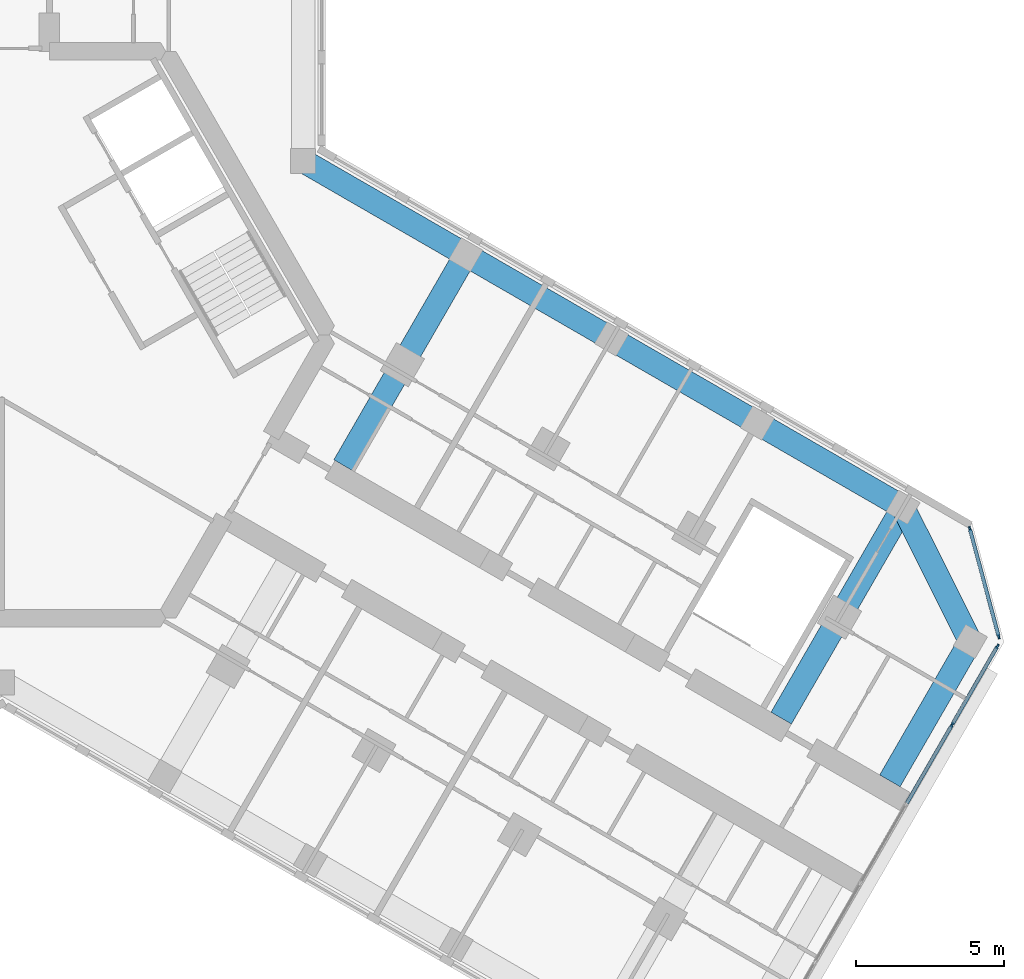
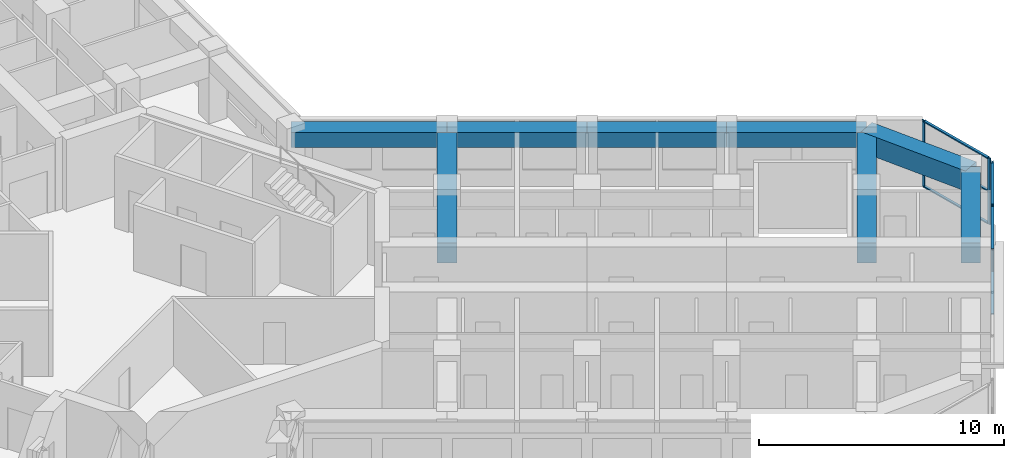
# One storey, part 5 of 16: 11 members, 8 beams, 2 elements without a shape of their own.
"""IFC4 building model written with IfcOpenShell, lengths in metres."""

from ifc_helpers import new_model, si_unit, direction, frame, origin, origin_2d, place, context, subcontext, project, spatial, rectangle, extrude, material, material_profile, profile_set, type_object, element, aggregate, save


model = new_model("IFC4")

# Units and contexts
model_context = context("Model", 3, precision=1e-05, world=origin(), true_north=direction((0.0, 1.0)))
body_context = subcontext(model_context, "Body", "Model", "MODEL_VIEW")
ifc_project = project(units=[si_unit("LENGTHUNIT", "METRE"), si_unit("AREAUNIT", "SQUARE_METRE"), si_unit("VOLUMEUNIT", "CUBIC_METRE"), si_unit("PLANEANGLEUNIT", "RADIAN"), si_unit("MASSUNIT", "GRAM", prefix="KILO")], contexts=[model_context])

# Site, building, storey
site_placement = place(None, origin())
site = spatial("IfcSite", under=ifc_project, at=site_placement, CompositionType="ELEMENT")
building_placement = place(site_placement, origin())
building = spatial("IfcBuilding", under=site, at=building_placement, Name="Kosmar Iwan School Tower", CompositionType="ELEMENT")
storey_placement = place(building_placement, frame((0.0, 0.0, 256.800048828125)))
storey = spatial("IfcBuildingStorey", under=building, at=storey_placement, Name="L65", CompositionType="ELEMENT", Elevation=256.800048828125)

# Beams
ifc_material_1 = material(Name="Concrete C50/60", Category="concrete")
ifc_material_profile_1 = material_profile(ifc_material_1, rectangle(XDim=0.800048828125, YDim=0.75, at=origin_2d()), Name="RC 800x750 + HD 400x634")
ifc_profile_set_1 = profile_set([ifc_material_profile_1], Name="Concrete C50/60")
beam_type_1 = type_object("IfcBeamType", Name="Composite edge beam 800x750 HD 400x634", PredefinedType="BEAM", material=ifc_profile_set_1)
beam_1_placement = place(storey_placement, frame((10.199951171875, 5.888916015625, 2.925048828125), z_axis=(0.866030912664, -0.49999045822, 0.0), x_axis=(0.49999045822, 0.866030912664, 0.0)))
element("IfcBeam", 1, at=beam_1_placement, inside=storey, type_object=beam_type_1, Name="Edge beam CL1", PredefinedType="BEAM", context=body_context, shape_type="SweptSolid", body=[
    extrude(rectangle(XDim=0.800048828125, YDim=0.75, at=origin_2d()), origin(), (0.0, 0.0, 1.0), 6.36083984375),
])
beam_2_placement = place(storey_placement, frame((15.708740234375, 2.70849609375, 2.925048828125), z_axis=(0.866025820012, -0.499999279071, 0.0), x_axis=(0.499999279071, 0.866025820012, 0.0)))
element("IfcBeam", 2, at=beam_2_placement, inside=storey, type_object=beam_type_1, Name="Edge beam CL2", PredefinedType="BEAM", context=body_context, shape_type="SweptSolid", body=[
    extrude(rectangle(XDim=0.800048828125, YDim=0.75, at=origin_2d()), origin(), (0.0, 0.0, 1.0), 5.7001953125),
])
for number, where, z_axis, x_axis, name in (
    (3, (20.645263671875, -0.1416015625, 2.925048828125), (0.866033658841, -0.49998570155, 0.0), (0.49998570155, 0.866033658841, 0.0), "Edge beam CL3"),
    (4, (25.58154296875, -2.991455078125, 2.925048828125), (0.866015111908, -0.50001782563, 0.0), (0.50001782563, 0.866015111908, 0.0), "Edge beam CL4"),
):
    element("IfcBeam", number, at=place(storey_placement, frame(where, z_axis=z_axis, x_axis=x_axis)), inside=storey, type_object=beam_type_1, Name=name, PredefinedType="BEAM", context=body_context, shape_type="SweptSolid", body=[
        extrude(rectangle(XDim=0.800048828125, YDim=0.75, at=origin_2d()), origin(), (0.0, 0.0, 1.0), 5.699951171875),
    ])
ifc_material_2 = material(Name="Concrete C50/60", Category="concrete")
ifc_material_profile_2 = material_profile(ifc_material_2, rectangle(XDim=0.800048828125, YDim=1.0, at=origin_2d()), Name="RC 800x1000 + HD 400x347")
ifc_profile_set_2 = profile_set([ifc_material_profile_2], Name="Concrete C50/60")
beam_type_2 = type_object("IfcBeamType", Name="Composite tip beam 800x1000 HD 400x347", PredefinedType="BEAM", material=ifc_profile_set_2)
beam_3_placement = place(storey_placement, frame((30.517822265625, -5.841552734375, 2.800048828125), z_axis=(0.44809604203, -0.893985423325, 0.0), x_axis=(0.893985423325, 0.44809604203, 0.0)))
element("IfcBeam", 5, at=beam_3_placement, inside=storey, type_object=beam_type_2, Name="Tip beam CL", PredefinedType="BEAM", context=body_context, shape_type="SweptSolid", body=[
    extrude(rectangle(XDim=0.800048828125, YDim=1.0, at=origin_2d()), origin(), (0.0, 0.0, 1.0), 5.08935546875),
])
beam_4_placement = place(storey_placement, frame((32.79833984375, -10.391357421875, 2.800048828125), z_axis=(-0.49996933381, -0.866043108194, 0.0), x_axis=(0.866043108194, -0.49996933381, 0.0)))
element("IfcBeam", 6, at=beam_4_placement, inside=storey, type_object=beam_type_2, Name="Tip beam CL to corridor wall", PredefinedType="BEAM", context=body_context, shape_type="SweptSolid", body=[
    extrude(rectangle(XDim=0.800048828125, YDim=1.0, at=origin_2d()), origin(), (0.0, 0.0, 1.0), 5.449951171875),
])
ifc_material_3 = material(Name="Concrete C50/60", Category="concrete")
ifc_material_profile_3 = material_profile(ifc_material_3, rectangle(XDim=0.800048828125, YDim=1.0, at=origin_2d()), Name="RC 800x1000 + HD 400x634")
ifc_profile_set_3 = profile_set([ifc_material_profile_3], Name="Concrete C50/60")
beam_type_3 = type_object("IfcBeamType", Name="Composite transverse beam 800x1000 HD 400x634", PredefinedType="BEAM", material=ifc_profile_set_3)
for number, where, z_axis, x_axis, name in (
    (7, (15.708740234375, 2.70849609375, 2.800048828125), (-0.499996545922, -0.866027397988, 0.0), (0.866027397988, -0.499996545922, 0.0), "Transverse beam CL1"),
    (8, (30.517822265625, -5.841552734375, 2.800048828125), (-0.499996545922, -0.866027397988, 0.0), (0.866027397988, -0.499996545922, 0.0), "Transverse beam CL4"),
):
    element("IfcBeam", number, at=place(storey_placement, frame(where, z_axis=z_axis, x_axis=x_axis)), inside=storey, type_object=beam_type_3, Name=name, PredefinedType="BEAM", context=body_context, shape_type="SweptSolid", body=[
        extrude(rectangle(XDim=0.800048828125, YDim=1.0, at=origin_2d()), origin(), (0.0, 0.0, 1.0), 8.25),
    ])

# Curtain wall, members
ifc_material_4 = material(Name="Dark glass in black aluminium frame", Category="aluminium")
curtain_wall_type_1 = type_object("IfcCurtainWallType", Name="Tower curtain wall dark glass", PredefinedType="USERDEFINED", material=ifc_material_4)
curtain_wall_1_placement = place(storey_placement, origin())
curtain_wall_1 = element("IfcCurtainWall", 9, at=curtain_wall_1_placement, inside=storey, type_object=curtain_wall_type_1, Name="Curtain wall L65-F01", ObjectType="UNITISED CURTAIN WALL", PredefinedType="USERDEFINED")
ifc_material_5 = material(Name="Black anodised aluminium", Category="aluminium")
ifc_material_profile_4 = material_profile(ifc_material_5, rectangle(XDim=0.06005859375, YDim=0.159912109375, at=origin_2d()), Name="MULLION 60x160")
ifc_profile_set_4 = profile_set([ifc_material_profile_4], Name="Black anodised aluminium")
member_type_1 = type_object("IfcMemberType", Name="Mullion 60x160", PredefinedType="MULLION", material=ifc_profile_set_4)
member_1_placement = place(storey_placement, frame((32.1806640625, -13.21142578125, 0.0), z_axis=(0.0, 0.0, 1.0), x_axis=(-0.866025405329, 0.499999997325, 0.0)))
member_1 = element("IfcMember", 10, at=member_1_placement, type_object=member_type_1, Name="CW1 mullion 5", PredefinedType="MULLION", context=body_context, shape_type="SweptSolid", body=[
    extrude(rectangle(XDim=0.06005859375, YDim=0.159912109375, at=origin_2d()), origin(), (0.0, 0.0, 1.0), 3.300048828125),
])
member_2_placement = place(storey_placement, frame((33.71533203125, -10.55322265625, 0.0), z_axis=(0.0, 0.0, 1.0), x_axis=(-0.866025405329, 0.499999997325, 0.0)))
member_2 = element("IfcMember", 11, at=member_2_placement, type_object=member_type_1, Name="CW1 mullion 6", PredefinedType="MULLION", context=body_context, shape_type="SweptSolid", body=[
    extrude(rectangle(XDim=0.06005859375, YDim=0.159912109375, at=origin_2d()), origin(), (0.0, 0.0, 1.0), 3.300048828125),
])

ifc_material_6 = material(Name="Dark glass in black aluminium frame", Category="aluminium")
curtain_wall_type_2 = type_object("IfcCurtainWallType", Name="Chamfer curtain wall dark glass", PredefinedType="USERDEFINED", material=ifc_material_6)
curtain_wall_2_placement = place(storey_placement, origin())
curtain_wall_2 = element("IfcCurtainWall", 12, at=curtain_wall_2_placement, inside=storey, type_object=curtain_wall_type_2, Name="Curtain wall L65-F02", ObjectType="FACETED CURTAIN WALL", PredefinedType="USERDEFINED")
member_3_placement = place(storey_placement, frame((33.7587890625, -10.2236328125, 0.0), z_axis=(0.0, 0.0, 1.0), x_axis=(-0.965925875495, -0.258818861462, 0.0)))
member_3 = element("IfcMember", 13, at=member_3_placement, type_object=member_type_1, Name="CW2 mullion 1", PredefinedType="MULLION", context=body_context, shape_type="SweptSolid", body=[
    extrude(rectangle(XDim=0.06005859375, YDim=0.159912109375, at=origin_2d()), origin(), (0.0, 0.0, 1.0), 3.300048828125),
])
member_4_placement = place(storey_placement, frame((32.78076171875, -6.5732421875, 0.0), z_axis=(0.0, 0.0, 1.0), x_axis=(-0.965925875495, -0.258818861462, 0.0)))
member_4 = element("IfcMember", 14, at=member_4_placement, type_object=member_type_1, Name="CW2 mullion 2", PredefinedType="MULLION", context=body_context, shape_type="SweptSolid", body=[
    extrude(rectangle(XDim=0.06005859375, YDim=0.159912109375, at=origin_2d()), origin(), (0.0, 0.0, 1.0), 3.300048828125),
])

# Member
ifc_material_7 = material(Name="Black anodised aluminium", Category="aluminium")
ifc_material_profile_5 = material_profile(ifc_material_7, rectangle(XDim=0.1201171875, YDim=0.06005859375, at=origin_2d()), Name="TRANSOM 60x120")
ifc_profile_set_5 = profile_set([ifc_material_profile_5], Name="Black anodised aluminium")
member_type_2 = type_object("IfcMemberType", Name="Transom 60x120", PredefinedType="USERDEFINED", material=ifc_profile_set_5)
member_5_placement = place(storey_placement, frame((30.64599609375, -15.869384765625, 0.030029296875), z_axis=(0.500035348339, 0.866004994449, 0.0), x_axis=(-0.866004994449, 0.500035348339, 0.0)))
member_5 = element("IfcMember", 15, at=member_5_placement, type_object=member_type_2, Name="CW1 transom 4.1", ObjectType="TRANSOM", PredefinedType="USERDEFINED", context=body_context, shape_type="SweptSolid", body=[
    extrude(rectangle(XDim=0.1201171875, YDim=0.06005859375, at=origin_2d()), origin(), (0.0, 0.0, 1.0), 3.039306640625),
])

member_6_placement = place(storey_placement, frame((30.64599609375, -15.869384765625, 3.27001953125), z_axis=(0.500035348339, 0.866004994449, 0.0), x_axis=(-0.866004994449, 0.500035348339, 0.0)))
member_6 = element("IfcMember", 16, at=member_6_placement, type_object=member_type_2, Name="CW1 transom 4.2", ObjectType="TRANSOM", PredefinedType="USERDEFINED", context=body_context, shape_type="SweptSolid", body=[
    extrude(rectangle(XDim=0.1201171875, YDim=0.06005859375, at=origin_2d()), origin(), (0.0, 0.0, 1.0), 3.039306640625),
])

member_7_placement = place(storey_placement, frame((32.19580078125, -13.185302734375, 0.030029296875), z_axis=(0.500022102064, 0.866012642776, 0.0), x_axis=(-0.866012642776, 0.500022102064, 0.0)))
member_7 = element("IfcMember", 17, at=member_7_placement, type_object=member_type_2, Name="CW1 transom 5.1", ObjectType="TRANSOM", PredefinedType="USERDEFINED", context=body_context, shape_type="SweptSolid", body=[
    extrude(rectangle(XDim=0.1201171875, YDim=0.06005859375, at=origin_2d()), origin(), (0.0, 0.0, 1.0), 3.009033203125),
])

member_8_placement = place(storey_placement, frame((32.19580078125, -13.185302734375, 3.27001953125), z_axis=(0.500022102064, 0.866012642776, 0.0), x_axis=(-0.866012642776, 0.500022102064, 0.0)))
member_8 = element("IfcMember", 18, at=member_8_placement, type_object=member_type_2, Name="CW1 transom 5.2", ObjectType="TRANSOM", PredefinedType="USERDEFINED", context=body_context, shape_type="SweptSolid", body=[
    extrude(rectangle(XDim=0.1201171875, YDim=0.06005859375, at=origin_2d()), origin(), (0.0, 0.0, 1.0), 3.009033203125),
])

aggregate(curtain_wall_1, [member_1, member_2, member_5, member_6, member_7, member_8])

member_9_placement = place(storey_placement, frame((33.7509765625, -10.194580078125, 0.030029296875), z_axis=(-0.258843273983, 0.965919333854, 0.0), x_axis=(-0.965919333854, -0.258843273983, 0.0)))
member_9 = element("IfcMember", 19, at=member_9_placement, type_object=member_type_2, Name="CW2 transom 1.1", ObjectType="TRANSOM", PredefinedType="USERDEFINED", context=body_context, shape_type="SweptSolid", body=[
    extrude(rectangle(XDim=0.1201171875, YDim=0.06005859375, at=origin_2d()), origin(), (0.0, 0.0, 1.0), 3.718994140625),
])

member_10_placement = place(storey_placement, frame((33.7509765625, -10.194580078125, 1.64990234375), z_axis=(-0.258843273983, 0.965919333854, 0.0), x_axis=(-0.965919333854, -0.258843273983, 0.0)))
member_10 = element("IfcMember", 20, at=member_10_placement, type_object=member_type_2, Name="CW2 transom 1.2", ObjectType="TRANSOM", PredefinedType="USERDEFINED", context=body_context, shape_type="SweptSolid", body=[
    extrude(rectangle(XDim=0.1201171875, YDim=0.06005859375, at=origin_2d()), origin(), (0.0, 0.0, 1.0), 3.718994140625),
])

member_11_placement = place(storey_placement, frame((33.7509765625, -10.194580078125, 3.27001953125), z_axis=(-0.258843273983, 0.965919333854, 0.0), x_axis=(-0.965919333854, -0.258843273983, 0.0)))
member_11 = element("IfcMember", 21, at=member_11_placement, type_object=member_type_2, Name="CW2 transom 1.3", ObjectType="TRANSOM", PredefinedType="USERDEFINED", context=body_context, shape_type="SweptSolid", body=[
    extrude(rectangle(XDim=0.1201171875, YDim=0.06005859375, at=origin_2d()), origin(), (0.0, 0.0, 1.0), 3.718994140625),
])

aggregate(curtain_wall_2, [member_3, member_4, member_9, member_10, member_11])

save(model, "model.ifc")
